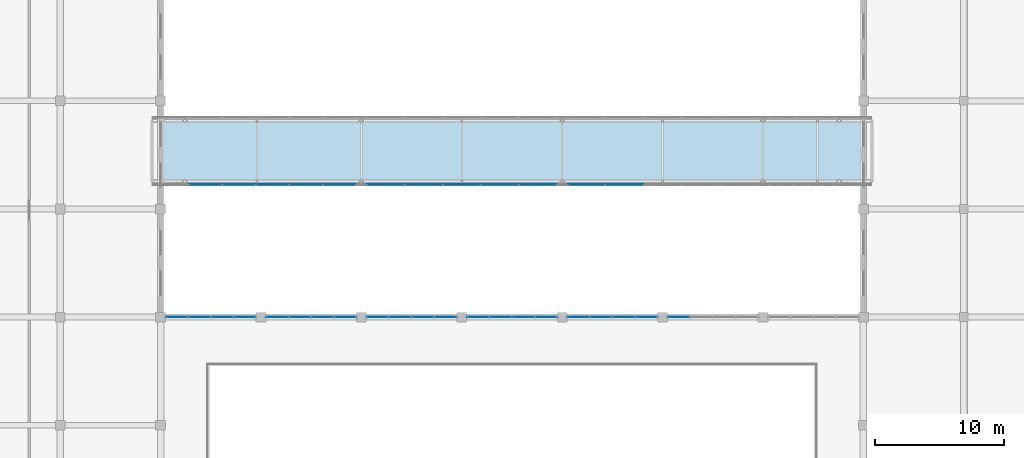
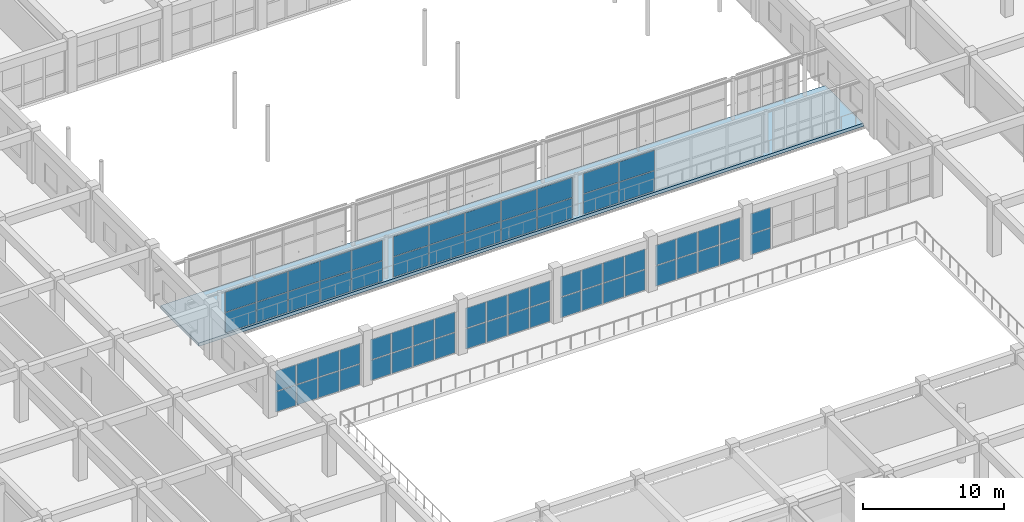
# One storey, part 138 of 175: 66 plates, 1 slab, 9 elements without a shape of their own.
"""IFC4 building model written with IfcOpenShell, lengths in metres."""

import ifcopenshell
import ifcopenshell.guid

model = None  # the IFC model being written
_history = None  # IfcOwnerHistory: only IFC2X3 demands one
_inside = {}  # id of a spatial element -> (the spatial element, [elements in it])
_under = {}  # id of a project, library or spatial element -> (it, [spatial elements below it])
_declared = {}  # id of a project -> (the project, [libraries it declares])
_typed = {}  # id of a type object -> (the type object, [elements of that type])
_made_of = {}  # id of a material, layer set ... -> (it, [elements and type objects made of it])


def new_model(schema):
    """Start an empty IFC model of exactly this schema.

    Asked for "IFC4X3", IfcOpenShell would pick the latest addendum, in which some entities
    have other attributes; the version numbers below select the first issue.
    IFC2X3 requires an IfcOwnerHistory on every rooted entity: one is made here for all.
    """
    global model, _history
    if schema == "IFC4X3":
        model = ifcopenshell.file(schema_version=(4, 3, 0, 0))
    else:
        model = ifcopenshell.file(schema=schema)
    _inside.clear()
    _under.clear()
    _declared.clear()
    _typed.clear()
    _made_of.clear()
    _history = None
    if model.schema == "IFC2X3":
        org = make("IfcOrganization", Name="unknown")
        user = make(
            "IfcPersonAndOrganization",
            ThePerson=make("IfcPerson", FamilyName="unknown"),
            TheOrganization=org,
        )
        app = make(
            "IfcApplication",
            ApplicationDeveloper=org,
            Version="unknown",
            ApplicationFullName="unknown",
            ApplicationIdentifier="unknown",
        )
        _history = make(
            "IfcOwnerHistory",
            OwningUser=user,
            OwningApplication=app,
            ChangeAction="ADDED",
            CreationDate=0,
        )
    return model


def make(cls, **values):
    """One entity of the class cls with the attributes given. An attribute that is None is left unset."""
    return model.create_entity(
        cls, **{name: value for name, value in values.items() if value is not None}
    )


def rooted(cls, **values):
    """An entity with a GlobalId (a new one), such as an element, a storey or a relation."""
    return make(cls, GlobalId=ifcopenshell.guid.new(), OwnerHistory=_history, **values)


def si_unit(unit_type, name, prefix=None):
    """IfcSIUnit, for example si_unit("LENGTHUNIT", "METRE", prefix="MILLI")."""
    return make("IfcSIUnit", UnitType=unit_type, Prefix=prefix, Name=name)


def assignment(units):
    """IfcUnitAssignment: the units of a project."""
    return None if units is None else make("IfcUnitAssignment", Units=units)


def point(xyz):
    """IfcCartesianPoint."""
    return None if xyz is None else make("IfcCartesianPoint", Coordinates=xyz)


def direction(xyz):
    """IfcDirection."""
    return None if xyz is None else make("IfcDirection", DirectionRatios=xyz)


def frame(location, z_axis=None, x_axis=None):
    """IfcAxis2Placement3D, a coordinate frame: its origin and axes. An axis left out is left unset."""
    return make(
        "IfcAxis2Placement3D",
        Location=point(location),
        Axis=direction(z_axis),
        RefDirection=direction(x_axis),
    )


def frame_2d(location, x_axis=None):
    """IfcAxis2Placement2D, a coordinate frame in the plane: its origin and x axis."""
    return make(
        "IfcAxis2Placement2D", Location=point(location), RefDirection=direction(x_axis)
    )


def origin():
    """The frame at (0, 0, 0) with its axes left unset."""
    return frame((0.0, 0.0, 0.0))


def origin_2d():
    """The frame at (0, 0) in the plane with its x axis left unset."""
    return frame_2d((0.0, 0.0))


def place(relative_to, where):
    """IfcLocalPlacement: puts the frame where relative to a parent placement (None: the world)."""
    return make(
        "IfcLocalPlacement", PlacementRelTo=relative_to, RelativePlacement=where
    )


def context(
    kind, dimensions, precision=None, world=None, true_north=None, identifier=None
):
    """IfcGeometricRepresentationContext, for example the 3D "Model" context."""
    return make(
        "IfcGeometricRepresentationContext",
        ContextIdentifier=identifier,
        ContextType=kind,
        CoordinateSpaceDimension=dimensions,
        Precision=precision,
        WorldCoordinateSystem=world,
        TrueNorth=true_north,
    )


def subcontext(parent, identifier, kind, view, scale=None):
    """IfcGeometricRepresentationSubContext, for example "Body" below "Model"."""
    return make(
        "IfcGeometricRepresentationSubContext",
        ContextIdentifier=identifier,
        ContextType=kind,
        ParentContext=parent,
        TargetScale=scale,
        TargetView=view,
    )


def project(units=None, contexts=None):
    """IfcProject with its units and contexts."""
    return rooted(
        "IfcProject",
        Name="project",
        RepresentationContexts=contexts,
        UnitsInContext=assignment(units),
    )


def spatial(cls, under=None, at=None, **own):
    """A site, building, storey or space (cls), placed at a placement, below another one or the project."""
    s = rooted(cls, ObjectPlacement=at, **own)
    if under is not None:
        _under.setdefault(under.id(), (under, []))[1].append(s)
    return s


def polyline(points):
    """IfcPolyline through the points."""
    return make("IfcPolyline", Points=[point(p) for p in points])


def profile(cls, at=None, kind="AREA", **sizes):
    """A parametric profile (cls). Its sizes go by their IFC names, for example OverallWidth=200.0."""
    return make(cls, ProfileType=kind, Position=at, **sizes)


def rectangle(**sizes):
    """IfcRectangleProfileDef."""
    return profile("IfcRectangleProfileDef", **sizes)


def outline(outer, holes=None, kind="AREA"):
    """IfcArbitraryClosedProfileDef: a profile drawn as a closed curve; with holes, ...WithVoids."""
    if holes is None:
        return make("IfcArbitraryClosedProfileDef", ProfileType=kind, OuterCurve=outer)
    return make(
        "IfcArbitraryProfileDefWithVoids",
        ProfileType=kind,
        OuterCurve=outer,
        InnerCurves=holes,
    )


def extrude(swept, where, along, depth):
    """IfcExtrudedAreaSolid: the profile swept, set in the frame where, extruded along a direction by depth."""
    return make(
        "IfcExtrudedAreaSolid",
        SweptArea=swept,
        Position=where,
        ExtrudedDirection=direction(along),
        Depth=depth,
    )


def shape(context_of_items, identifier, shape_type, items):
    """IfcShapeRepresentation: the items that make up one representation, for example the "Body"."""
    return make(
        "IfcShapeRepresentation",
        ContextOfItems=context_of_items,
        RepresentationIdentifier=identifier,
        RepresentationType=shape_type,
        Items=items,
    )


def material(Name=None, Category=None):
    """IfcMaterial."""
    return make("IfcMaterial", Name=Name, Category=Category)


def layer(
    of_material, thickness, ventilated=None, Name=None, Category=None, Priority=None
):
    """IfcMaterialLayer: one layer of a wall or slab, of a material (None: an air gap)."""
    return make(
        "IfcMaterialLayer",
        Material=of_material,
        LayerThickness=thickness,
        IsVentilated=ventilated,
        Name=Name,
        Category=Category,
        Priority=Priority,
    )


def layer_set(layers, Name=None):
    """IfcMaterialLayerSet."""
    return make("IfcMaterialLayerSet", MaterialLayers=layers, LayerSetName=Name)


def made_of(thing, what):
    """Note that an element or type object is made of a material, layer set ...; save() writes the relation."""
    if what is not None:
        _made_of.setdefault(what.id(), (what, []))[1].append(thing)
    return thing


def type_object(cls, material=None, **own):
    """A type object (cls), such as IfcWallType, which elements share."""
    return made_of(rooted(cls, **own), material)


def element(
    cls,
    number,
    at=None,
    inside=None,
    cuts=None,
    type_object=None,
    material=None,
    context=None,
    identifier="Body",
    shape_type=None,
    held_by="IfcProductDefinitionShape",
    body=None,
    shapes=None,
    **own,
):
    """One element of the class cls, such as IfcWall. Its Tag is "e" and its number.

    at: its placement. inside: the storey or other place that contains it. cuts: it is an
    opening in that element (IfcRelVoidsElement). A single representation is given by context,
    identifier, shape_type and body (its items); several are given by shapes. held_by: the class
    of the entity that holds the representations. save() writes the other relations.
    """
    e = rooted(cls, Tag="e%d" % number, ObjectPlacement=at, **own)
    if body is not None:
        shapes = [shape(context, identifier, shape_type, body)]
    if shapes is not None:
        e.Representation = make(held_by, Representations=shapes)
    if inside is not None:
        _inside.setdefault(inside.id(), (inside, []))[1].append(e)
    if cuts is not None:
        rooted(
            "IfcRelVoidsElement", RelatingBuildingElement=cuts, RelatedOpeningElement=e
        )
    if type_object is not None:
        _typed.setdefault(type_object.id(), (type_object, []))[1].append(e)
    return made_of(e, material)


def aggregate(whole, parts):
    """IfcRelAggregates: a whole, such as a stair, and the parts it consists of."""
    return rooted("IfcRelAggregates", RelatingObject=whole, RelatedObjects=parts)


def save(model, path):
    """Write the relations noted so far, then the file.

    IfcRelAggregates (storeys below a building ...), IfcRelContainedInSpatialStructure (elements
    in a storey), IfcRelDefinesByType, IfcRelAssociatesMaterial and IfcRelDeclares: one each for
    every whole, place, type object, material and project.
    """
    for whole, parts in _under.values():
        aggregate(whole, parts)
    for where, things in _inside.values():
        rooted(
            "IfcRelContainedInSpatialStructure",
            RelatedElements=things,
            RelatingStructure=where,
        )
    for kind, things in _typed.values():
        rooted("IfcRelDefinesByType", RelatedObjects=things, RelatingType=kind)
    for what, things in _made_of.values():
        rooted("IfcRelAssociatesMaterial", RelatedObjects=things, RelatingMaterial=what)
    for by, libraries in _declared.values():
        rooted("IfcRelDeclares", RelatingContext=by, RelatedDefinitions=libraries)
    model.write(path)


model = new_model("IFC4")

# Units and contexts
model_context = context("Model", 3, precision=1e-05, world=origin(), true_north=direction((0.0, 1.0)))
body_context = subcontext(model_context, "Body", "Model", "MODEL_VIEW")
ifc_project = project(units=[si_unit("LENGTHUNIT", "METRE"), si_unit("AREAUNIT", "SQUARE_METRE"), si_unit("VOLUMEUNIT", "CUBIC_METRE"), si_unit("PLANEANGLEUNIT", "RADIAN"), si_unit("MASSUNIT", "GRAM", prefix="KILO")], contexts=[model_context])

# Site, building, storey
site_placement = place(None, origin())
site = spatial("IfcSite", under=ifc_project, at=site_placement, CompositionType="ELEMENT")
building_placement = place(site_placement, origin())
building = spatial("IfcBuilding", under=site, at=building_placement, Name="Zizhar Promenade General Hospital", CompositionType="ELEMENT")
storey_placement = place(building_placement, frame((0.0, 0.0, 4.800048828125)))
storey = spatial("IfcBuildingStorey", under=building, at=storey_placement, Name="L01", CompositionType="ELEMENT", Elevation=4.800048828125)

# Curtain wall, plates
ifc_material_1 = material(Name="Anodised aluminium 6063-T6 and low-E glass", Category="aluminium")
ifc_layer_1 = layer(ifc_material_1, 0.159912109375)
ifc_layer_set_1 = layer_set([ifc_layer_1], Name="Anodised aluminium 6063-T6 and low-E glass")
curtain_wall_type_1 = type_object("IfcCurtainWallType", Name="CW-HALL-N", PredefinedType="NOTDEFINED", material=ifc_layer_set_1)
curtain_wall_1_placement = place(storey_placement, origin())
curtain_wall_1 = element("IfcCurtainWall", 1, at=curtain_wall_1_placement, inside=storey, type_object=curtain_wall_type_1, Name="Main Hall Courtyard Curtain Wall L01-9", PredefinedType="NOTDEFINED")
ifc_material_2 = material(Name="Low-E solar-control glass", Category="glass")
ifc_layer_2 = layer(ifc_material_2, 0.031982421875)
ifc_layer_set_2 = layer_set([ifc_layer_2], Name="Low-E solar-control glass")
plate_type = type_object("IfcPlateType", Name="CWP-GLZ-32", PredefinedType="CURTAIN_PANEL", material=ifc_layer_set_2)
plate_1_placement = place(storey_placement, frame((71.465087890625, 50.39990234375, 0.06005859375), z_axis=(0.0, 0.0, 1.0), x_axis=(1.0, 0.0, 0.0)))
plate_1 = element("IfcPlate", 2, at=plate_1_placement, type_object=plate_type, Name="CW-02 panel 1.1", PredefinedType="CURTAIN_PANEL", context=body_context, shape_type="SweptSolid", body=[
    extrude(rectangle(XDim=1.64990234375, YDim=0.031982421875, at=origin_2d()), origin(), (0.0, 0.0, 1.0), 1.75),
])
plate_2_placement = place(storey_placement, frame((71.465087890625, 50.39990234375, 1.869873046875), z_axis=(0.0, 0.0, 1.0), x_axis=(1.0, 0.0, 0.0)))
plate_2 = element("IfcPlate", 3, at=plate_2_placement, type_object=plate_type, Name="CW-02 panel 1.2", PredefinedType="CURTAIN_PANEL", context=body_context, shape_type="SweptSolid", body=[
    extrude(rectangle(XDim=1.64990234375, YDim=0.031982421875, at=origin_2d()), origin(), (0.0, 0.0, 1.0), 1.75),
])
plate_3_placement = place(storey_placement, frame((73.215087890625, 50.39990234375, 0.06005859375), z_axis=(0.0, 0.0, 1.0), x_axis=(1.0, 0.0, 0.0)))
plate_3 = element("IfcPlate", 4, at=plate_3_placement, type_object=plate_type, Name="CW-02 panel 2.1", PredefinedType="CURTAIN_PANEL", context=body_context, shape_type="SweptSolid", body=[
    extrude(rectangle(XDim=1.68994140625, YDim=0.031982421875, at=origin_2d()), origin(), (0.0, 0.0, 1.0), 1.75),
])
plate_4_placement = place(storey_placement, frame((73.215087890625, 50.39990234375, 1.869873046875), z_axis=(0.0, 0.0, 1.0), x_axis=(1.0, 0.0, 0.0)))
plate_4 = element("IfcPlate", 5, at=plate_4_placement, type_object=plate_type, Name="CW-02 panel 2.2", PredefinedType="CURTAIN_PANEL", context=body_context, shape_type="SweptSolid", body=[
    extrude(rectangle(XDim=1.68994140625, YDim=0.031982421875, at=origin_2d()), origin(), (0.0, 0.0, 1.0), 1.75),
])
plate_5_placement = place(storey_placement, frame((74.985107421875, 50.39990234375, 0.06005859375), z_axis=(0.0, 0.0, 1.0), x_axis=(1.0, 0.0, 0.0)))
plate_5 = element("IfcPlate", 6, at=plate_5_placement, type_object=plate_type, Name="CW-02 panel 3.1", PredefinedType="CURTAIN_PANEL", context=body_context, shape_type="SweptSolid", body=[
    extrude(rectangle(XDim=1.68994140625, YDim=0.031982421875, at=origin_2d()), origin(), (0.0, 0.0, 1.0), 1.75),
])
plate_6_placement = place(storey_placement, frame((74.985107421875, 50.39990234375, 1.869873046875), z_axis=(0.0, 0.0, 1.0), x_axis=(1.0, 0.0, 0.0)))
plate_6 = element("IfcPlate", 7, at=plate_6_placement, type_object=plate_type, Name="CW-02 panel 3.2", PredefinedType="CURTAIN_PANEL", context=body_context, shape_type="SweptSolid", body=[
    extrude(rectangle(XDim=1.68994140625, YDim=0.031982421875, at=origin_2d()), origin(), (0.0, 0.0, 1.0), 1.75),
])
plate_7_placement = place(storey_placement, frame((76.735107421875, 50.39990234375, 0.06005859375), z_axis=(0.0, 0.0, 1.0), x_axis=(1.0, 0.0, 0.0)))
plate_7 = element("IfcPlate", 8, at=plate_7_placement, type_object=plate_type, Name="CW-02 panel 4.1", PredefinedType="CURTAIN_PANEL", context=body_context, shape_type="SweptSolid", body=[
    extrude(rectangle(XDim=1.64990234375, YDim=0.031982421875, at=origin_2d()), origin(), (0.0, 0.0, 1.0), 1.75),
])
plate_8_placement = place(storey_placement, frame((76.735107421875, 50.39990234375, 1.869873046875), z_axis=(0.0, 0.0, 1.0), x_axis=(1.0, 0.0, 0.0)))
plate_8 = element("IfcPlate", 9, at=plate_8_placement, type_object=plate_type, Name="CW-02 panel 4.2", PredefinedType="CURTAIN_PANEL", context=body_context, shape_type="SweptSolid", body=[
    extrude(rectangle(XDim=1.64990234375, YDim=0.031982421875, at=origin_2d()), origin(), (0.0, 0.0, 1.0), 1.75),
])
aggregate(curtain_wall_1, [plate_1, plate_2, plate_3, plate_4, plate_5, plate_6, plate_7, plate_8])

curtain_wall_2_placement = place(storey_placement, origin())
curtain_wall_2 = element("IfcCurtainWall", 10, at=curtain_wall_2_placement, inside=storey, type_object=curtain_wall_type_1, Name="Main Hall Courtyard Curtain Wall L01-10", PredefinedType="NOTDEFINED")
plate_9_placement = place(storey_placement, frame((79.264892578125, 50.39990234375, 0.06005859375), z_axis=(0.0, 0.0, 1.0), x_axis=(1.0, 0.0, 0.0)))
plate_9 = element("IfcPlate", 11, at=plate_9_placement, type_object=plate_type, Name="CW-02 panel 1.1", PredefinedType="CURTAIN_PANEL", context=body_context, shape_type="SweptSolid", body=[
    extrude(rectangle(XDim=1.64990234375, YDim=0.031982421875, at=origin_2d()), origin(), (0.0, 0.0, 1.0), 1.75),
])
plate_10_placement = place(storey_placement, frame((79.264892578125, 50.39990234375, 1.869873046875), z_axis=(0.0, 0.0, 1.0), x_axis=(1.0, 0.0, 0.0)))
plate_10 = element("IfcPlate", 12, at=plate_10_placement, type_object=plate_type, Name="CW-02 panel 1.2", PredefinedType="CURTAIN_PANEL", context=body_context, shape_type="SweptSolid", body=[
    extrude(rectangle(XDim=1.64990234375, YDim=0.031982421875, at=origin_2d()), origin(), (0.0, 0.0, 1.0), 1.75),
])
plate_11_placement = place(storey_placement, frame((81.014892578125, 50.39990234375, 0.06005859375), z_axis=(0.0, 0.0, 1.0), x_axis=(1.0, 0.0, 0.0)))
plate_11 = element("IfcPlate", 13, at=plate_11_placement, type_object=plate_type, Name="CW-02 panel 2.1", PredefinedType="CURTAIN_PANEL", context=body_context, shape_type="SweptSolid", body=[
    extrude(rectangle(XDim=1.68994140625, YDim=0.031982421875, at=origin_2d()), origin(), (0.0, 0.0, 1.0), 1.75),
])
plate_12_placement = place(storey_placement, frame((81.014892578125, 50.39990234375, 1.869873046875), z_axis=(0.0, 0.0, 1.0), x_axis=(1.0, 0.0, 0.0)))
plate_12 = element("IfcPlate", 14, at=plate_12_placement, type_object=plate_type, Name="CW-02 panel 2.2", PredefinedType="CURTAIN_PANEL", context=body_context, shape_type="SweptSolid", body=[
    extrude(rectangle(XDim=1.68994140625, YDim=0.031982421875, at=origin_2d()), origin(), (0.0, 0.0, 1.0), 1.75),
])
plate_13_placement = place(storey_placement, frame((82.784912109375, 50.39990234375, 0.06005859375), z_axis=(0.0, 0.0, 1.0), x_axis=(1.0, 0.0, 0.0)))
plate_13 = element("IfcPlate", 15, at=plate_13_placement, type_object=plate_type, Name="CW-02 panel 3.1", PredefinedType="CURTAIN_PANEL", context=body_context, shape_type="SweptSolid", body=[
    extrude(rectangle(XDim=1.68994140625, YDim=0.031982421875, at=origin_2d()), origin(), (0.0, 0.0, 1.0), 1.75),
])
plate_14_placement = place(storey_placement, frame((82.784912109375, 50.39990234375, 1.869873046875), z_axis=(0.0, 0.0, 1.0), x_axis=(1.0, 0.0, 0.0)))
plate_14 = element("IfcPlate", 16, at=plate_14_placement, type_object=plate_type, Name="CW-02 panel 3.2", PredefinedType="CURTAIN_PANEL", context=body_context, shape_type="SweptSolid", body=[
    extrude(rectangle(XDim=1.68994140625, YDim=0.031982421875, at=origin_2d()), origin(), (0.0, 0.0, 1.0), 1.75),
])
plate_15_placement = place(storey_placement, frame((84.534912109375, 50.39990234375, 0.06005859375), z_axis=(0.0, 0.0, 1.0), x_axis=(1.0, 0.0, 0.0)))
plate_15 = element("IfcPlate", 17, at=plate_15_placement, type_object=plate_type, Name="CW-02 panel 4.1", PredefinedType="CURTAIN_PANEL", context=body_context, shape_type="SweptSolid", body=[
    extrude(rectangle(XDim=1.64990234375, YDim=0.031982421875, at=origin_2d()), origin(), (0.0, 0.0, 1.0), 1.75),
])
plate_16_placement = place(storey_placement, frame((84.534912109375, 50.39990234375, 1.869873046875), z_axis=(0.0, 0.0, 1.0), x_axis=(1.0, 0.0, 0.0)))
plate_16 = element("IfcPlate", 18, at=plate_16_placement, type_object=plate_type, Name="CW-02 panel 4.2", PredefinedType="CURTAIN_PANEL", context=body_context, shape_type="SweptSolid", body=[
    extrude(rectangle(XDim=1.64990234375, YDim=0.031982421875, at=origin_2d()), origin(), (0.0, 0.0, 1.0), 1.75),
])
aggregate(curtain_wall_2, [plate_9, plate_10, plate_11, plate_12, plate_13, plate_14, plate_15, plate_16])

curtain_wall_3_placement = place(storey_placement, origin())
curtain_wall_3 = element("IfcCurtainWall", 19, at=curtain_wall_3_placement, inside=storey, type_object=curtain_wall_type_1, Name="Main Hall Courtyard Curtain Wall L01-11", PredefinedType="NOTDEFINED")
plate_17_placement = place(storey_placement, frame((87.06494140625, 50.39990234375, 0.06005859375), z_axis=(0.0, 0.0, 1.0), x_axis=(1.0, 0.0, 0.0)))
plate_17 = element("IfcPlate", 20, at=plate_17_placement, type_object=plate_type, Name="CW-02 panel 1.1", PredefinedType="CURTAIN_PANEL", context=body_context, shape_type="SweptSolid", body=[
    extrude(rectangle(XDim=1.64990234375, YDim=0.031982421875, at=origin_2d()), origin(), (0.0, 0.0, 1.0), 1.75),
])
plate_18_placement = place(storey_placement, frame((87.06494140625, 50.39990234375, 1.869873046875), z_axis=(0.0, 0.0, 1.0), x_axis=(1.0, 0.0, 0.0)))
plate_18 = element("IfcPlate", 21, at=plate_18_placement, type_object=plate_type, Name="CW-02 panel 1.2", PredefinedType="CURTAIN_PANEL", context=body_context, shape_type="SweptSolid", body=[
    extrude(rectangle(XDim=1.64990234375, YDim=0.031982421875, at=origin_2d()), origin(), (0.0, 0.0, 1.0), 1.75),
])
plate_19_placement = place(storey_placement, frame((88.81494140625, 50.39990234375, 0.06005859375), z_axis=(0.0, 0.0, 1.0), x_axis=(1.0, 0.0, 0.0)))
plate_19 = element("IfcPlate", 22, at=plate_19_placement, type_object=plate_type, Name="CW-02 panel 2.1", PredefinedType="CURTAIN_PANEL", context=body_context, shape_type="SweptSolid", body=[
    extrude(rectangle(XDim=1.68994140625, YDim=0.031982421875, at=origin_2d()), origin(), (0.0, 0.0, 1.0), 1.75),
])
plate_20_placement = place(storey_placement, frame((88.81494140625, 50.39990234375, 1.869873046875), z_axis=(0.0, 0.0, 1.0), x_axis=(1.0, 0.0, 0.0)))
plate_20 = element("IfcPlate", 23, at=plate_20_placement, type_object=plate_type, Name="CW-02 panel 2.2", PredefinedType="CURTAIN_PANEL", context=body_context, shape_type="SweptSolid", body=[
    extrude(rectangle(XDim=1.68994140625, YDim=0.031982421875, at=origin_2d()), origin(), (0.0, 0.0, 1.0), 1.75),
])
plate_21_placement = place(storey_placement, frame((90.5849609375, 50.39990234375, 0.06005859375), z_axis=(0.0, 0.0, 1.0), x_axis=(1.0, 0.0, 0.0)))
plate_21 = element("IfcPlate", 24, at=plate_21_placement, type_object=plate_type, Name="CW-02 panel 3.1", PredefinedType="CURTAIN_PANEL", context=body_context, shape_type="SweptSolid", body=[
    extrude(rectangle(XDim=1.68994140625, YDim=0.031982421875, at=origin_2d()), origin(), (0.0, 0.0, 1.0), 1.75),
])
plate_22_placement = place(storey_placement, frame((90.5849609375, 50.39990234375, 1.869873046875), z_axis=(0.0, 0.0, 1.0), x_axis=(1.0, 0.0, 0.0)))
plate_22 = element("IfcPlate", 25, at=plate_22_placement, type_object=plate_type, Name="CW-02 panel 3.2", PredefinedType="CURTAIN_PANEL", context=body_context, shape_type="SweptSolid", body=[
    extrude(rectangle(XDim=1.68994140625, YDim=0.031982421875, at=origin_2d()), origin(), (0.0, 0.0, 1.0), 1.75),
])
plate_23_placement = place(storey_placement, frame((92.3349609375, 50.39990234375, 0.06005859375), z_axis=(0.0, 0.0, 1.0), x_axis=(1.0, 0.0, 0.0)))
plate_23 = element("IfcPlate", 26, at=plate_23_placement, type_object=plate_type, Name="CW-02 panel 4.1", PredefinedType="CURTAIN_PANEL", context=body_context, shape_type="SweptSolid", body=[
    extrude(rectangle(XDim=1.64990234375, YDim=0.031982421875, at=origin_2d()), origin(), (0.0, 0.0, 1.0), 1.75),
])
plate_24_placement = place(storey_placement, frame((92.3349609375, 50.39990234375, 1.869873046875), z_axis=(0.0, 0.0, 1.0), x_axis=(1.0, 0.0, 0.0)))
plate_24 = element("IfcPlate", 27, at=plate_24_placement, type_object=plate_type, Name="CW-02 panel 4.2", PredefinedType="CURTAIN_PANEL", context=body_context, shape_type="SweptSolid", body=[
    extrude(rectangle(XDim=1.64990234375, YDim=0.031982421875, at=origin_2d()), origin(), (0.0, 0.0, 1.0), 1.75),
])
aggregate(curtain_wall_3, [plate_17, plate_18, plate_19, plate_20, plate_21, plate_22, plate_23, plate_24])

curtain_wall_4_placement = place(storey_placement, origin())
curtain_wall_4 = element("IfcCurtainWall", 28, at=curtain_wall_4_placement, inside=storey, type_object=curtain_wall_type_1, Name="Main Hall Courtyard Curtain Wall L01-12", PredefinedType="NOTDEFINED")
plate_25_placement = place(storey_placement, frame((94.864990234375, 50.39990234375, 0.06005859375), z_axis=(0.0, 0.0, 1.0), x_axis=(1.0, 0.0, 0.0)))
plate_25 = element("IfcPlate", 29, at=plate_25_placement, type_object=plate_type, Name="CW-02 panel 1.1", PredefinedType="CURTAIN_PANEL", context=body_context, shape_type="SweptSolid", body=[
    extrude(rectangle(XDim=1.64990234375, YDim=0.031982421875, at=origin_2d()), origin(), (0.0, 0.0, 1.0), 1.75),
])
plate_26_placement = place(storey_placement, frame((94.864990234375, 50.39990234375, 1.869873046875), z_axis=(0.0, 0.0, 1.0), x_axis=(1.0, 0.0, 0.0)))
plate_26 = element("IfcPlate", 30, at=plate_26_placement, type_object=plate_type, Name="CW-02 panel 1.2", PredefinedType="CURTAIN_PANEL", context=body_context, shape_type="SweptSolid", body=[
    extrude(rectangle(XDim=1.64990234375, YDim=0.031982421875, at=origin_2d()), origin(), (0.0, 0.0, 1.0), 1.75),
])
plate_27_placement = place(storey_placement, frame((96.614990234375, 50.39990234375, 0.06005859375), z_axis=(0.0, 0.0, 1.0), x_axis=(1.0, 0.0, 0.0)))
plate_27 = element("IfcPlate", 31, at=plate_27_placement, type_object=plate_type, Name="CW-02 panel 2.1", PredefinedType="CURTAIN_PANEL", context=body_context, shape_type="SweptSolid", body=[
    extrude(rectangle(XDim=1.68994140625, YDim=0.031982421875, at=origin_2d()), origin(), (0.0, 0.0, 1.0), 1.75),
])
plate_28_placement = place(storey_placement, frame((96.614990234375, 50.39990234375, 1.869873046875), z_axis=(0.0, 0.0, 1.0), x_axis=(1.0, 0.0, 0.0)))
plate_28 = element("IfcPlate", 32, at=plate_28_placement, type_object=plate_type, Name="CW-02 panel 2.2", PredefinedType="CURTAIN_PANEL", context=body_context, shape_type="SweptSolid", body=[
    extrude(rectangle(XDim=1.68994140625, YDim=0.031982421875, at=origin_2d()), origin(), (0.0, 0.0, 1.0), 1.75),
])
plate_29_placement = place(storey_placement, frame((98.385009765625, 50.39990234375, 0.06005859375), z_axis=(0.0, 0.0, 1.0), x_axis=(1.0, 0.0, 0.0)))
plate_29 = element("IfcPlate", 33, at=plate_29_placement, type_object=plate_type, Name="CW-02 panel 3.1", PredefinedType="CURTAIN_PANEL", context=body_context, shape_type="SweptSolid", body=[
    extrude(rectangle(XDim=1.68994140625, YDim=0.031982421875, at=origin_2d()), origin(), (0.0, 0.0, 1.0), 1.75),
])
plate_30_placement = place(storey_placement, frame((98.385009765625, 50.39990234375, 1.869873046875), z_axis=(0.0, 0.0, 1.0), x_axis=(1.0, 0.0, 0.0)))
plate_30 = element("IfcPlate", 34, at=plate_30_placement, type_object=plate_type, Name="CW-02 panel 3.2", PredefinedType="CURTAIN_PANEL", context=body_context, shape_type="SweptSolid", body=[
    extrude(rectangle(XDim=1.68994140625, YDim=0.031982421875, at=origin_2d()), origin(), (0.0, 0.0, 1.0), 1.75),
])
plate_31_placement = place(storey_placement, frame((100.135009765625, 50.39990234375, 0.06005859375), z_axis=(0.0, 0.0, 1.0), x_axis=(1.0, 0.0, 0.0)))
plate_31 = element("IfcPlate", 35, at=plate_31_placement, type_object=plate_type, Name="CW-02 panel 4.1", PredefinedType="CURTAIN_PANEL", context=body_context, shape_type="SweptSolid", body=[
    extrude(rectangle(XDim=1.64990234375, YDim=0.031982421875, at=origin_2d()), origin(), (0.0, 0.0, 1.0), 1.75),
])
plate_32_placement = place(storey_placement, frame((100.135009765625, 50.39990234375, 1.869873046875), z_axis=(0.0, 0.0, 1.0), x_axis=(1.0, 0.0, 0.0)))
plate_32 = element("IfcPlate", 36, at=plate_32_placement, type_object=plate_type, Name="CW-02 panel 4.2", PredefinedType="CURTAIN_PANEL", context=body_context, shape_type="SweptSolid", body=[
    extrude(rectangle(XDim=1.64990234375, YDim=0.031982421875, at=origin_2d()), origin(), (0.0, 0.0, 1.0), 1.75),
])
aggregate(curtain_wall_4, [plate_25, plate_26, plate_27, plate_28, plate_29, plate_30, plate_31, plate_32])

curtain_wall_5_placement = place(storey_placement, origin())
curtain_wall_5 = element("IfcCurtainWall", 37, at=curtain_wall_5_placement, inside=storey, type_object=curtain_wall_type_1, Name="Main Hall Courtyard Curtain Wall L01-13", PredefinedType="NOTDEFINED")
plate_33_placement = place(storey_placement, frame((102.6650390625, 50.39990234375, 0.06005859375), z_axis=(0.0, 0.0, 1.0), x_axis=(1.0, 0.0, 0.0)))
plate_33 = element("IfcPlate", 38, at=plate_33_placement, type_object=plate_type, Name="CW-02 panel 1.1", PredefinedType="CURTAIN_PANEL", context=body_context, shape_type="SweptSolid", body=[
    extrude(rectangle(XDim=1.64990234375, YDim=0.031982421875, at=origin_2d()), origin(), (0.0, 0.0, 1.0), 1.75),
])
plate_34_placement = place(storey_placement, frame((102.6650390625, 50.39990234375, 1.869873046875), z_axis=(0.0, 0.0, 1.0), x_axis=(1.0, 0.0, 0.0)))
plate_34 = element("IfcPlate", 39, at=plate_34_placement, type_object=plate_type, Name="CW-02 panel 1.2", PredefinedType="CURTAIN_PANEL", context=body_context, shape_type="SweptSolid", body=[
    extrude(rectangle(XDim=1.64990234375, YDim=0.031982421875, at=origin_2d()), origin(), (0.0, 0.0, 1.0), 1.75),
])
plate_35_placement = place(storey_placement, frame((104.4150390625, 50.39990234375, 0.06005859375), z_axis=(0.0, 0.0, 1.0), x_axis=(1.0, 0.0, 0.0)))
plate_35 = element("IfcPlate", 40, at=plate_35_placement, type_object=plate_type, Name="CW-02 panel 2.1", PredefinedType="CURTAIN_PANEL", context=body_context, shape_type="SweptSolid", body=[
    extrude(rectangle(XDim=1.68994140625, YDim=0.031982421875, at=origin_2d()), origin(), (0.0, 0.0, 1.0), 1.75),
])
plate_36_placement = place(storey_placement, frame((104.4150390625, 50.39990234375, 1.869873046875), z_axis=(0.0, 0.0, 1.0), x_axis=(1.0, 0.0, 0.0)))
plate_36 = element("IfcPlate", 41, at=plate_36_placement, type_object=plate_type, Name="CW-02 panel 2.2", PredefinedType="CURTAIN_PANEL", context=body_context, shape_type="SweptSolid", body=[
    extrude(rectangle(XDim=1.68994140625, YDim=0.031982421875, at=origin_2d()), origin(), (0.0, 0.0, 1.0), 1.75),
])
plate_37_placement = place(storey_placement, frame((106.18505859375, 50.39990234375, 0.06005859375), z_axis=(0.0, 0.0, 1.0), x_axis=(1.0, 0.0, 0.0)))
plate_37 = element("IfcPlate", 42, at=plate_37_placement, type_object=plate_type, Name="CW-02 panel 3.1", PredefinedType="CURTAIN_PANEL", context=body_context, shape_type="SweptSolid", body=[
    extrude(rectangle(XDim=1.68994140625, YDim=0.031982421875, at=origin_2d()), origin(), (0.0, 0.0, 1.0), 1.75),
])
plate_38_placement = place(storey_placement, frame((106.18505859375, 50.39990234375, 1.869873046875), z_axis=(0.0, 0.0, 1.0), x_axis=(1.0, 0.0, 0.0)))
plate_38 = element("IfcPlate", 43, at=plate_38_placement, type_object=plate_type, Name="CW-02 panel 3.2", PredefinedType="CURTAIN_PANEL", context=body_context, shape_type="SweptSolid", body=[
    extrude(rectangle(XDim=1.68994140625, YDim=0.031982421875, at=origin_2d()), origin(), (0.0, 0.0, 1.0), 1.75),
])
plate_39_placement = place(storey_placement, frame((107.93505859375, 50.39990234375, 0.06005859375), z_axis=(0.0, 0.0, 1.0), x_axis=(1.0, 0.0, 0.0)))
plate_39 = element("IfcPlate", 44, at=plate_39_placement, type_object=plate_type, Name="CW-02 panel 4.1", PredefinedType="CURTAIN_PANEL", context=body_context, shape_type="SweptSolid", body=[
    extrude(rectangle(XDim=1.64990234375, YDim=0.031982421875, at=origin_2d()), origin(), (0.0, 0.0, 1.0), 1.75),
])
plate_40_placement = place(storey_placement, frame((107.93505859375, 50.39990234375, 1.869873046875), z_axis=(0.0, 0.0, 1.0), x_axis=(1.0, 0.0, 0.0)))
plate_40 = element("IfcPlate", 45, at=plate_40_placement, type_object=plate_type, Name="CW-02 panel 4.2", PredefinedType="CURTAIN_PANEL", context=body_context, shape_type="SweptSolid", body=[
    extrude(rectangle(XDim=1.64990234375, YDim=0.031982421875, at=origin_2d()), origin(), (0.0, 0.0, 1.0), 1.75),
])
aggregate(curtain_wall_5, [plate_33, plate_34, plate_35, plate_36, plate_37, plate_38, plate_39, plate_40])

curtain_wall_6_placement = place(storey_placement, origin())
curtain_wall_6 = element("IfcCurtainWall", 46, at=curtain_wall_6_placement, inside=storey, type_object=curtain_wall_type_1, Name="Main Hall Courtyard Curtain Wall L01-14", PredefinedType="NOTDEFINED")
plate_41_placement = place(storey_placement, frame((110.465087890625, 50.39990234375, 0.06005859375), z_axis=(0.0, 0.0, 1.0), x_axis=(1.0, 0.0, 0.0)))
plate_41 = element("IfcPlate", 47, at=plate_41_placement, type_object=plate_type, Name="CW-02 panel 1.1", PredefinedType="CURTAIN_PANEL", context=body_context, shape_type="SweptSolid", body=[
    extrude(rectangle(XDim=1.64990234375, YDim=0.031982421875, at=origin_2d()), origin(), (0.0, 0.0, 1.0), 1.75),
])
plate_42_placement = place(storey_placement, frame((110.465087890625, 50.39990234375, 1.869873046875), z_axis=(0.0, 0.0, 1.0), x_axis=(1.0, 0.0, 0.0)))
plate_42 = element("IfcPlate", 48, at=plate_42_placement, type_object=plate_type, Name="CW-02 panel 1.2", PredefinedType="CURTAIN_PANEL", context=body_context, shape_type="SweptSolid", body=[
    extrude(rectangle(XDim=1.64990234375, YDim=0.031982421875, at=origin_2d()), origin(), (0.0, 0.0, 1.0), 1.75),
])
aggregate(curtain_wall_6, [plate_41, plate_42])

ifc_material_3 = material(Name="Anodised aluminium 6063-T6 and low-E glass", Category="aluminium")
ifc_layer_3 = layer(ifc_material_3, 0.159912109375)
ifc_layer_set_3 = layer_set([ifc_layer_3], Name="Anodised aluminium 6063-T6 and low-E glass")
curtain_wall_type_2 = type_object("IfcCurtainWallType", Name="CW-SKY-GLZ", PredefinedType="NOTDEFINED", material=ifc_layer_set_3)
curtain_wall_7_placement = place(storey_placement, origin())
curtain_wall_7 = element("IfcCurtainWall", 49, at=curtain_wall_7_placement, inside=storey, type_object=curtain_wall_type_2, Name="Courtyard Clinical Skybridge Level L01 South Glazing 1", PredefinedType="NOTDEFINED")
plate_43_placement = place(storey_placement, frame((84.0849609375, 60.699951171875, 0.06005859375), z_axis=(0.0, 0.0, 1.0), x_axis=(-1.0, 0.0, 0.0)))
plate_43 = element("IfcPlate", 50, at=plate_43_placement, type_object=plate_type, Name="CW-15 panel 1.1", PredefinedType="CURTAIN_PANEL", context=body_context, shape_type="SweptSolid", body=[
    extrude(rectangle(XDim=2.510009765625, YDim=0.031982421875, at=origin_2d()), origin(), (0.0, 0.0, 1.0), 1.72998046875),
])
plate_44_placement = place(storey_placement, frame((84.0849609375, 60.699951171875, 1.849853515625), z_axis=(0.0, 0.0, 1.0), x_axis=(-1.0, 0.0, 0.0)))
plate_44 = element("IfcPlate", 51, at=plate_44_placement, type_object=plate_type, Name="CW-15 panel 1.2", PredefinedType="CURTAIN_PANEL", context=body_context, shape_type="SweptSolid", body=[
    extrude(rectangle(XDim=2.510009765625, YDim=0.031982421875, at=origin_2d()), origin(), (0.0, 0.0, 1.0), 1.72998046875),
])
plate_45_placement = place(storey_placement, frame((81.5, 60.699951171875, 0.06005859375), z_axis=(0.0, 0.0, 1.0), x_axis=(-1.0, 0.0, 0.0)))
plate_45 = element("IfcPlate", 52, at=plate_45_placement, type_object=plate_type, Name="CW-15 panel 2.1", PredefinedType="CURTAIN_PANEL", context=body_context, shape_type="SweptSolid", body=[
    extrude(rectangle(XDim=2.5400390625, YDim=0.031982421875, at=origin_2d()), origin(), (0.0, 0.0, 1.0), 1.72998046875),
])
plate_46_placement = place(storey_placement, frame((81.5, 60.699951171875, 1.849853515625), z_axis=(0.0, 0.0, 1.0), x_axis=(-1.0, 0.0, 0.0)))
plate_46 = element("IfcPlate", 53, at=plate_46_placement, type_object=plate_type, Name="CW-15 panel 2.2", PredefinedType="CURTAIN_PANEL", context=body_context, shape_type="SweptSolid", body=[
    extrude(rectangle(XDim=2.5400390625, YDim=0.031982421875, at=origin_2d()), origin(), (0.0, 0.0, 1.0), 1.72998046875),
])
plate_47_placement = place(storey_placement, frame((78.89990234375, 60.699951171875, 0.06005859375), z_axis=(0.0, 0.0, 1.0), x_axis=(-1.0, 0.0, 0.0)))
plate_47 = element("IfcPlate", 54, at=plate_47_placement, type_object=plate_type, Name="CW-15 panel 3.1", PredefinedType="CURTAIN_PANEL", context=body_context, shape_type="SweptSolid", body=[
    extrude(rectangle(XDim=2.5400390625, YDim=0.031982421875, at=origin_2d()), origin(), (0.0, 0.0, 1.0), 1.72998046875),
])
plate_48_placement = place(storey_placement, frame((78.89990234375, 60.699951171875, 1.849853515625), z_axis=(0.0, 0.0, 1.0), x_axis=(-1.0, 0.0, 0.0)))
plate_48 = element("IfcPlate", 55, at=plate_48_placement, type_object=plate_type, Name="CW-15 panel 3.2", PredefinedType="CURTAIN_PANEL", context=body_context, shape_type="SweptSolid", body=[
    extrude(rectangle(XDim=2.5400390625, YDim=0.031982421875, at=origin_2d()), origin(), (0.0, 0.0, 1.0), 1.72998046875),
])
plate_49_placement = place(storey_placement, frame((76.300048828125, 60.699951171875, 0.06005859375), z_axis=(0.0, 0.0, 1.0), x_axis=(-1.0, 0.0, 0.0)))
plate_49 = element("IfcPlate", 56, at=plate_49_placement, type_object=plate_type, Name="CW-15 panel 4.1", PredefinedType="CURTAIN_PANEL", context=body_context, shape_type="SweptSolid", body=[
    extrude(rectangle(XDim=2.5400390625, YDim=0.031982421875, at=origin_2d()), origin(), (0.0, 0.0, 1.0), 1.72998046875),
])
plate_50_placement = place(storey_placement, frame((76.300048828125, 60.699951171875, 1.849853515625), z_axis=(0.0, 0.0, 1.0), x_axis=(-1.0, 0.0, 0.0)))
plate_50 = element("IfcPlate", 57, at=plate_50_placement, type_object=plate_type, Name="CW-15 panel 4.2", PredefinedType="CURTAIN_PANEL", context=body_context, shape_type="SweptSolid", body=[
    extrude(rectangle(XDim=2.5400390625, YDim=0.031982421875, at=origin_2d()), origin(), (0.0, 0.0, 1.0), 1.72998046875),
])
plate_51_placement = place(storey_placement, frame((73.715087890625, 60.699951171875, 0.06005859375), z_axis=(0.0, 0.0, 1.0), x_axis=(-1.0, 0.0, 0.0)))
plate_51 = element("IfcPlate", 58, at=plate_51_placement, type_object=plate_type, Name="CW-15 panel 5.1", PredefinedType="CURTAIN_PANEL", context=body_context, shape_type="SweptSolid", body=[
    extrude(rectangle(XDim=2.510009765625, YDim=0.031982421875, at=origin_2d()), origin(), (0.0, 0.0, 1.0), 1.72998046875),
])
plate_52_placement = place(storey_placement, frame((73.715087890625, 60.699951171875, 1.849853515625), z_axis=(0.0, 0.0, 1.0), x_axis=(-1.0, 0.0, 0.0)))
plate_52 = element("IfcPlate", 59, at=plate_52_placement, type_object=plate_type, Name="CW-15 panel 5.2", PredefinedType="CURTAIN_PANEL", context=body_context, shape_type="SweptSolid", body=[
    extrude(rectangle(XDim=2.510009765625, YDim=0.031982421875, at=origin_2d()), origin(), (0.0, 0.0, 1.0), 1.72998046875),
])
aggregate(curtain_wall_7, [plate_43, plate_44, plate_45, plate_46, plate_47, plate_48, plate_49, plate_50, plate_51, plate_52])

curtain_wall_8_placement = place(storey_placement, origin())
curtain_wall_8 = element("IfcCurtainWall", 60, at=curtain_wall_8_placement, inside=storey, type_object=curtain_wall_type_2, Name="Courtyard Clinical Skybridge Level L01 South Glazing 2", PredefinedType="NOTDEFINED")
plate_53_placement = place(storey_placement, frame((99.5048828125, 60.699951171875, 0.06005859375), z_axis=(0.0, 0.0, 1.0), x_axis=(-1.0, 0.0, 0.0)))
plate_53 = element("IfcPlate", 61, at=plate_53_placement, type_object=plate_type, Name="CW-15 panel 1.1", PredefinedType="CURTAIN_PANEL", context=body_context, shape_type="SweptSolid", body=[
    extrude(rectangle(XDim=2.8701171875, YDim=0.031982421875, at=origin_2d()), origin(), (0.0, 0.0, 1.0), 1.72998046875),
])
plate_54_placement = place(storey_placement, frame((99.5048828125, 60.699951171875, 1.849853515625), z_axis=(0.0, 0.0, 1.0), x_axis=(-1.0, 0.0, 0.0)))
plate_54 = element("IfcPlate", 62, at=plate_54_placement, type_object=plate_type, Name="CW-15 panel 1.2", PredefinedType="CURTAIN_PANEL", context=body_context, shape_type="SweptSolid", body=[
    extrude(rectangle(XDim=2.8701171875, YDim=0.031982421875, at=origin_2d()), origin(), (0.0, 0.0, 1.0), 1.72998046875),
])
plate_55_placement = place(storey_placement, frame((96.56005859375, 60.699951171875, 0.06005859375), z_axis=(0.0, 0.0, 1.0), x_axis=(-1.0, 0.0, 0.0)))
plate_55 = element("IfcPlate", 63, at=plate_55_placement, type_object=plate_type, Name="CW-15 panel 2.1", PredefinedType="CURTAIN_PANEL", context=body_context, shape_type="SweptSolid", body=[
    extrude(rectangle(XDim=2.89990234375, YDim=0.031982421875, at=origin_2d()), origin(), (0.0, 0.0, 1.0), 1.72998046875),
])
plate_56_placement = place(storey_placement, frame((96.56005859375, 60.699951171875, 1.849853515625), z_axis=(0.0, 0.0, 1.0), x_axis=(-1.0, 0.0, 0.0)))
plate_56 = element("IfcPlate", 64, at=plate_56_placement, type_object=plate_type, Name="CW-15 panel 2.2", PredefinedType="CURTAIN_PANEL", context=body_context, shape_type="SweptSolid", body=[
    extrude(rectangle(XDim=2.89990234375, YDim=0.031982421875, at=origin_2d()), origin(), (0.0, 0.0, 1.0), 1.72998046875),
])
plate_57_placement = place(storey_placement, frame((93.60009765625, 60.699951171875, 0.06005859375), z_axis=(0.0, 0.0, 1.0), x_axis=(-1.0, 0.0, 0.0)))
plate_57 = element("IfcPlate", 65, at=plate_57_placement, type_object=plate_type, Name="CW-15 panel 3.1", PredefinedType="CURTAIN_PANEL", context=body_context, shape_type="SweptSolid", body=[
    extrude(rectangle(XDim=2.89990234375, YDim=0.031982421875, at=origin_2d()), origin(), (0.0, 0.0, 1.0), 1.72998046875),
])
plate_58_placement = place(storey_placement, frame((93.60009765625, 60.699951171875, 1.849853515625), z_axis=(0.0, 0.0, 1.0), x_axis=(-1.0, 0.0, 0.0)))
plate_58 = element("IfcPlate", 66, at=plate_58_placement, type_object=plate_type, Name="CW-15 panel 3.2", PredefinedType="CURTAIN_PANEL", context=body_context, shape_type="SweptSolid", body=[
    extrude(rectangle(XDim=2.89990234375, YDim=0.031982421875, at=origin_2d()), origin(), (0.0, 0.0, 1.0), 1.72998046875),
])
plate_59_placement = place(storey_placement, frame((90.639892578125, 60.699951171875, 0.06005859375), z_axis=(0.0, 0.0, 1.0), x_axis=(-1.0, 0.0, 0.0)))
plate_59 = element("IfcPlate", 67, at=plate_59_placement, type_object=plate_type, Name="CW-15 panel 4.1", PredefinedType="CURTAIN_PANEL", context=body_context, shape_type="SweptSolid", body=[
    extrude(rectangle(XDim=2.89990234375, YDim=0.031982421875, at=origin_2d()), origin(), (0.0, 0.0, 1.0), 1.72998046875),
])
plate_60_placement = place(storey_placement, frame((90.639892578125, 60.699951171875, 1.849853515625), z_axis=(0.0, 0.0, 1.0), x_axis=(-1.0, 0.0, 0.0)))
plate_60 = element("IfcPlate", 68, at=plate_60_placement, type_object=plate_type, Name="CW-15 panel 4.2", PredefinedType="CURTAIN_PANEL", context=body_context, shape_type="SweptSolid", body=[
    extrude(rectangle(XDim=2.89990234375, YDim=0.031982421875, at=origin_2d()), origin(), (0.0, 0.0, 1.0), 1.72998046875),
])
plate_61_placement = place(storey_placement, frame((87.695068359375, 60.699951171875, 0.06005859375), z_axis=(0.0, 0.0, 1.0), x_axis=(-1.0, 0.0, 0.0)))
plate_61 = element("IfcPlate", 69, at=plate_61_placement, type_object=plate_type, Name="CW-15 panel 5.1", PredefinedType="CURTAIN_PANEL", context=body_context, shape_type="SweptSolid", body=[
    extrude(rectangle(XDim=2.8701171875, YDim=0.031982421875, at=origin_2d()), origin(), (0.0, 0.0, 1.0), 1.72998046875),
])
plate_62_placement = place(storey_placement, frame((87.695068359375, 60.699951171875, 1.849853515625), z_axis=(0.0, 0.0, 1.0), x_axis=(-1.0, 0.0, 0.0)))
plate_62 = element("IfcPlate", 70, at=plate_62_placement, type_object=plate_type, Name="CW-15 panel 5.2", PredefinedType="CURTAIN_PANEL", context=body_context, shape_type="SweptSolid", body=[
    extrude(rectangle(XDim=2.8701171875, YDim=0.031982421875, at=origin_2d()), origin(), (0.0, 0.0, 1.0), 1.72998046875),
])
aggregate(curtain_wall_8, [plate_53, plate_54, plate_55, plate_56, plate_57, plate_58, plate_59, plate_60, plate_61, plate_62])

curtain_wall_9_placement = place(storey_placement, origin())
curtain_wall_9 = element("IfcCurtainWall", 71, at=curtain_wall_9_placement, inside=storey, type_object=curtain_wall_type_2, Name="Courtyard Clinical Skybridge Level L01 South Glazing 3", PredefinedType="NOTDEFINED")
plate_63_placement = place(storey_placement, frame((106.239990234375, 60.699951171875, 0.06005859375), z_axis=(0.0, 0.0, 1.0), x_axis=(-1.0, 0.0, 0.0)))
plate_63 = element("IfcPlate", 72, at=plate_63_placement, type_object=plate_type, Name="CW-15 panel 4.1", PredefinedType="CURTAIN_PANEL", context=body_context, shape_type="SweptSolid", body=[
    extrude(rectangle(XDim=2.89990234375, YDim=0.031982421875, at=origin_2d()), origin(), (0.0, 0.0, 1.0), 1.72998046875),
])
plate_64_placement = place(storey_placement, frame((106.239990234375, 60.699951171875, 1.849853515625), z_axis=(0.0, 0.0, 1.0), x_axis=(-1.0, 0.0, 0.0)))
plate_64 = element("IfcPlate", 73, at=plate_64_placement, type_object=plate_type, Name="CW-15 panel 4.2", PredefinedType="CURTAIN_PANEL", context=body_context, shape_type="SweptSolid", body=[
    extrude(rectangle(XDim=2.89990234375, YDim=0.031982421875, at=origin_2d()), origin(), (0.0, 0.0, 1.0), 1.72998046875),
])
plate_65_placement = place(storey_placement, frame((103.294921875, 60.699951171875, 0.06005859375), z_axis=(0.0, 0.0, 1.0), x_axis=(-1.0, 0.0, 0.0)))
plate_65 = element("IfcPlate", 74, at=plate_65_placement, type_object=plate_type, Name="CW-15 panel 5.1", PredefinedType="CURTAIN_PANEL", context=body_context, shape_type="SweptSolid", body=[
    extrude(rectangle(XDim=2.8701171875, YDim=0.031982421875, at=origin_2d()), origin(), (0.0, 0.0, 1.0), 1.72998046875),
])
plate_66_placement = place(storey_placement, frame((103.294921875, 60.699951171875, 1.849853515625), z_axis=(0.0, 0.0, 1.0), x_axis=(-1.0, 0.0, 0.0)))
plate_66 = element("IfcPlate", 75, at=plate_66_placement, type_object=plate_type, Name="CW-15 panel 5.2", PredefinedType="CURTAIN_PANEL", context=body_context, shape_type="SweptSolid", body=[
    extrude(rectangle(XDim=2.8701171875, YDim=0.031982421875, at=origin_2d()), origin(), (0.0, 0.0, 1.0), 1.72998046875),
])
aggregate(curtain_wall_9, [plate_63, plate_64, plate_65, plate_66])

# Slab
ifc_material_4 = material(Name="Concrete C35/45", Category="concrete")
ifc_layer_4 = layer(ifc_material_4, 0.280029296875)
ifc_layer_set_4 = layer_set([ifc_layer_4], Name="Concrete C35/45")
slab_type = type_object("IfcSlabType", Name="SLB-FLR-280", PredefinedType="FLOOR", material=ifc_layer_set_4)
slab_placement = place(storey_placement, frame((0.0, 0.0, -0.280029296875)))
element("IfcSlab", 76, at=slab_placement, inside=storey, type_object=slab_type, Name="Courtyard Clinical Skybridge Level L01 Deck Slab", PredefinedType="FLOOR", context=body_context, shape_type="SweptSolid", body=[
    extrude(outline(polyline([(70.199951171875, 60.60009765625), (124.800048828125, 60.60009765625), (124.800048828125, 66.0), (70.199951171875, 66.0), (70.199951171875, 60.60009765625)])), origin(), (0.0, 0.0, 1.0), 0.280029296875),
])

save(model, "model.ifc")
